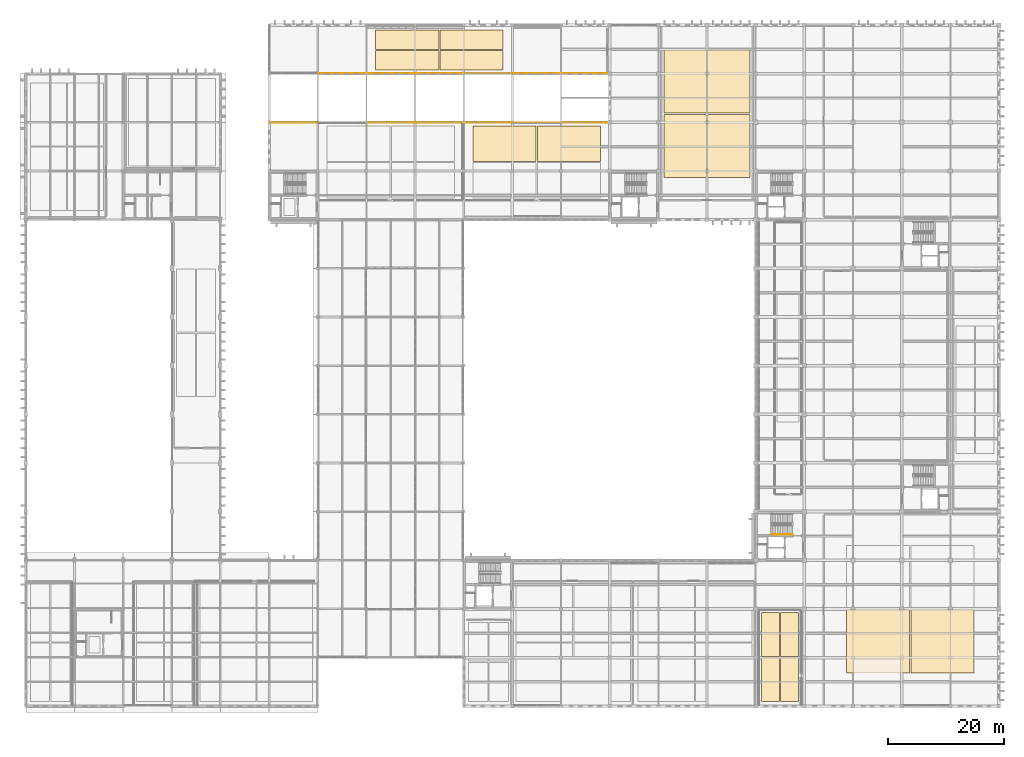
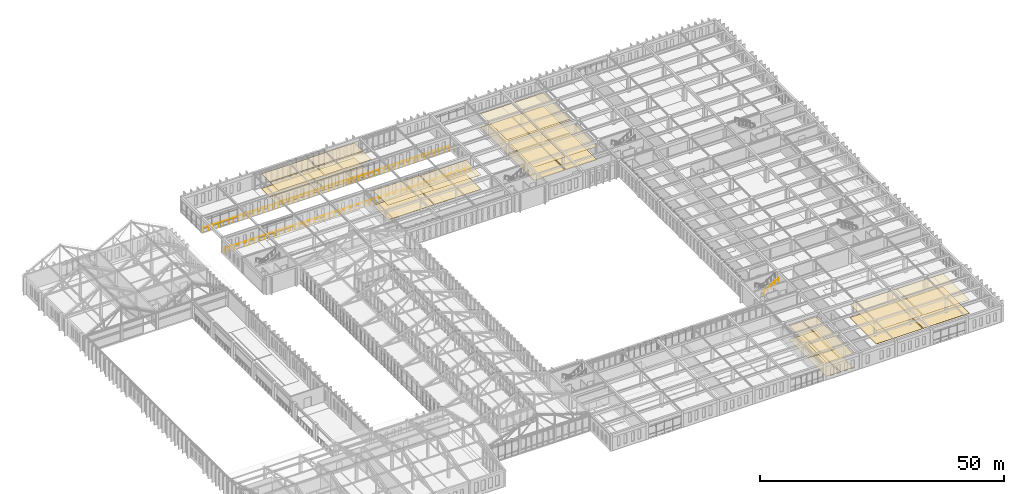
# One storey, part 189 of 192: 32 coverings, 3 railings.
"""IFC4 building model written with IfcOpenShell, lengths in metres."""

from ifc_helpers import new_model, si_unit, direction, frame, origin, origin_2d, place, context, subcontext, project, spatial, rectangle, circle, extrude, material, layer, layer_set, type_object, element, save


model = new_model("IFC4")

# Units and contexts
model_context = context("Model", 3, precision=1e-05, world=origin(), true_north=direction((0.0, 1.0)))
body_context = subcontext(model_context, "Body", "Model", "MODEL_VIEW")
ifc_project = project(units=[si_unit("LENGTHUNIT", "METRE"), si_unit("AREAUNIT", "SQUARE_METRE"), si_unit("VOLUMEUNIT", "CUBIC_METRE"), si_unit("PLANEANGLEUNIT", "RADIAN"), si_unit("MASSUNIT", "GRAM", prefix="KILO")], contexts=[model_context])

# Site, building, storey
site_placement = place(None, origin())
site = spatial("IfcSite", under=ifc_project, at=site_placement, CompositionType="ELEMENT")
building_placement = place(site_placement, origin())
building = spatial("IfcBuilding", under=site, at=building_placement, Name="Kveldsbrygga Polytechnic", CompositionType="ELEMENT")
storey_placement = place(building_placement, frame((0.0, 0.0, 5.43994140625)))
storey = spatial("IfcBuildingStorey", under=building, at=storey_placement, Name="L01", CompositionType="ELEMENT", Elevation=5.43994140625)

# Coverings
ifc_material_1 = material(Name="Acoustic mineral baffle ceiling")
ifc_layer_1 = layer(ifc_material_1, 0.030029296875)
ifc_layer_set_1 = layer_set([ifc_layer_1], Name="Acoustic mineral baffle ceiling")
covering_type_1 = type_object("IfcCoveringType", Name="COV-CEIL-AC30", PredefinedType="CEILING", material=ifc_layer_set_1)
for number, where, z_axis, x_axis, name in (
    (1, (82.64990234375, 97.10009765625, 3.64990234375), (0.0, 0.0, 1.0), (1.0, 0.0, 0.0), "Acoustic Ceiling SP-L01-SEM12-WN"),
    (2, (93.75, 97.10009765625, 3.56982421875), (0.0, 0.0, 1.0), (1.0, 0.0, 0.0), "Acoustic Ceiling SP-L01-SEM12-EN"),
):
    element("IfcCovering", number, at=place(storey_placement, frame(where, z_axis=z_axis, x_axis=x_axis)), inside=storey, type_object=covering_type_1, Name=name, PredefinedType="CEILING", context=body_context, shape_type="SweptSolid", body=[
        extrude(rectangle(XDim=10.89990234375, YDim=6.10009765625, at=origin_2d()), origin(), (0.0, 0.0, 1.0), 0.030029296875),
    ])
for number, where, z_axis, x_axis, name in (
    (3, (147.125, 11.22509765625, 3.31005859375), (0.0, 0.0, 1.0), (1.0, 0.0, 0.0), "Acoustic Ceiling SP-L01-LAB11-WS"),
    (4, (158.22509765625, 11.22509765625, 3.31005859375), (0.0, 0.0, 1.0), (1.0, 0.0, 0.0), "Acoustic Ceiling SP-L01-LAB11-ES"),
):
    element("IfcCovering", number, at=place(storey_placement, frame(where, z_axis=z_axis, x_axis=x_axis)), inside=storey, type_object=covering_type_1, Name=name, PredefinedType="CEILING", context=body_context, shape_type="SweptSolid", body=[
        extrude(rectangle(XDim=10.89990234375, YDim=10.89990234375, at=origin_2d()), origin(), (0.0, 0.0, 1.0), 0.030029296875),
    ])
for number, where, z_axis, x_axis, name in (
    (5, (113.824951171875, 96.72509765625, 3.31005859375), (0.0, 0.0, 1.0), (1.0, 0.0, 0.0), "Acoustic Ceiling SP-L01-LAB14-WS"),
    (6, (113.824951171875, 107.824951171875, 3.41015625), (0.0, 0.0, 1.0), (1.0, 0.0, 0.0), "Acoustic Ceiling SP-L01-LAB14-WN"),
    (7, (121.375, 96.72509765625, 3.31005859375), (0.0, 0.0, 1.0), (1.0, 0.0, 0.0), "Acoustic Ceiling SP-L01-LAB14-ES"),
    (8, (121.375, 107.824951171875, 3.41015625), (0.0, 0.0, 1.0), (1.0, 0.0, 0.0), "Acoustic Ceiling SP-L01-LAB14-EN"),
):
    element("IfcCovering", number, at=place(storey_placement, frame(where, z_axis=z_axis, x_axis=x_axis)), inside=storey, type_object=covering_type_1, Name=name, PredefinedType="CEILING", context=body_context, shape_type="SweptSolid", body=[
        extrude(rectangle(XDim=7.35009765625, YDim=10.89990234375, at=origin_2d()), origin(), (0.0, 0.0, 1.0), 0.030029296875),
    ])
ifc_material_2 = material(Name="Gypsum acoustic ceiling")
ifc_layer_2 = layer(ifc_material_2, 0.02001953125)
ifc_layer_set_2 = layer_set([ifc_layer_2], Name="Gypsum acoustic ceiling")
covering_type_2 = type_object("IfcCoveringType", Name="COV-CEIL-GY20", PredefinedType="CEILING", material=ifc_layer_set_2)
for number, where, z_axis, x_axis, name in (
    (9, (128.550048828125, 4.625, 3.420166015625), (0.0, 0.0, 1.0), (1.0, 0.0, 0.0), "Acoustic Ceiling SP-L01-WC1-WS"),
    (10, (128.550048828125, 12.375, 3.420166015625), (0.0, 0.0, 1.0), (1.0, 0.0, 0.0), "Acoustic Ceiling SP-L01-WC1-WN"),
    (11, (131.85009765625, 4.625, 3.420166015625), (0.0, 0.0, 1.0), (1.0, 0.0, 0.0), "Acoustic Ceiling SP-L01-WC1-ES"),
    (12, (131.85009765625, 12.375, 3.420166015625), (0.0, 0.0, 1.0), (1.0, 0.0, 0.0), "Acoustic Ceiling SP-L01-WC1-EN"),
):
    element("IfcCovering", number, at=place(storey_placement, frame(where, z_axis=z_axis, x_axis=x_axis)), inside=storey, type_object=covering_type_2, Name=name, PredefinedType="CEILING", context=body_context, shape_type="SweptSolid", body=[
        extrude(rectangle(XDim=3.10009765625, YDim=7.550048828125, at=origin_2d()), origin(), (0.0, 0.0, 1.0), 0.02001953125),
    ])
ifc_material_3 = material(Name="Acoustic oak timber slat ceiling", Category="wood")
ifc_layer_3 = layer(ifc_material_3, 0.0400390625)
ifc_layer_set_3 = layer_set([ifc_layer_3], Name="Acoustic oak timber slat ceiling")
covering_type_3 = type_object("IfcCoveringType", Name="COV-CEIL-WD40", PredefinedType="CEILING", material=ifc_layer_set_3)
for number, where, z_axis, x_axis, name in (
    (13, (65.85009765625, 111.52490234375, 3.64013671875), (0.0, 0.0, 1.0), (1.0, 0.0, 0.0), "Acoustic Ceiling SP-L01-LTUP-WS"),
    (14, (65.85009765625, 115.074951171875, 3.64013671875), (0.0, 0.0, 1.0), (1.0, 0.0, 0.0), "Acoustic Ceiling SP-L01-LTUP-WN"),
    (15, (76.949951171875, 111.52490234375, 3.679931640625), (0.0, 0.0, 1.0), (1.0, 0.0, 0.0), "Acoustic Ceiling SP-L01-LTUP-ES"),
    (16, (76.949951171875, 115.074951171875, 3.679931640625), (0.0, 0.0, 1.0), (1.0, 0.0, 0.0), "Acoustic Ceiling SP-L01-LTUP-EN"),
):
    element("IfcCovering", number, at=place(storey_placement, frame(where, z_axis=z_axis, x_axis=x_axis)), inside=storey, type_object=covering_type_3, Name=name, PredefinedType="CEILING", context=body_context, shape_type="SweptSolid", body=[
        extrude(rectangle(XDim=10.89990234375, YDim=3.35009765625, at=origin_2d()), origin(), (0.0, 0.0, 1.0), 0.0400390625),
    ])
ifc_material_4 = material(Name="Heavy-duty quartz-filled epoxy resin flooring")
ifc_layer_4 = layer(ifc_material_4, 0.014892578125)
ifc_layer_set_4 = layer_set([ifc_layer_4], Name="Heavy-duty quartz-filled epoxy resin flooring")
covering_type_4 = type_object("IfcCoveringType", Name="COV-FLR-EPX15", PredefinedType="FLOORING", material=ifc_layer_set_4)
for number, where, z_axis, x_axis, name in (
    (17, (147.125, 11.22509765625, 0.0), (0.0, 0.0, 1.0), (1.0, 0.0, 0.0), "Room Flooring SP-L01-LAB11-WS"),
    (18, (158.22509765625, 11.22509765625, 0.0), (0.0, 0.0, 1.0), (1.0, 0.0, 0.0), "Room Flooring SP-L01-LAB11-ES"),
):
    element("IfcCovering", number, at=place(storey_placement, frame(where, z_axis=z_axis, x_axis=x_axis)), inside=storey, type_object=covering_type_4, Name=name, PredefinedType="FLOORING", context=body_context, shape_type="SweptSolid", body=[
        extrude(rectangle(XDim=10.89990234375, YDim=10.89990234375, at=origin_2d()), origin(), (0.0, 0.0, 1.0), 0.014892578125),
    ])
for number, where, z_axis, x_axis, name in (
    (19, (113.824951171875, 96.72509765625, 0.0), (0.0, 0.0, 1.0), (1.0, 0.0, 0.0), "Room Flooring SP-L01-LAB14-WS"),
    (20, (113.824951171875, 107.824951171875, 0.0), (0.0, 0.0, 1.0), (1.0, 0.0, 0.0), "Room Flooring SP-L01-LAB14-WN"),
    (21, (121.375, 96.72509765625, 0.0), (0.0, 0.0, 1.0), (1.0, 0.0, 0.0), "Room Flooring SP-L01-LAB14-ES"),
    (22, (121.375, 107.824951171875, 0.0), (0.0, 0.0, 1.0), (1.0, 0.0, 0.0), "Room Flooring SP-L01-LAB14-EN"),
):
    element("IfcCovering", number, at=place(storey_placement, frame(where, z_axis=z_axis, x_axis=x_axis)), inside=storey, type_object=covering_type_4, Name=name, PredefinedType="FLOORING", context=body_context, shape_type="SweptSolid", body=[
        extrude(rectangle(XDim=7.35009765625, YDim=10.89990234375, at=origin_2d()), origin(), (0.0, 0.0, 1.0), 0.014892578125),
    ])
ifc_material_5 = material(Name="Iddefjord granite honed paving", Category="masonry")
ifc_layer_5 = layer(ifc_material_5, 0.02490234375)
ifc_layer_set_5 = layer_set([ifc_layer_5], Name="Iddefjord granite honed paving")
covering_type_5 = type_object("IfcCoveringType", Name="COV-FLR-GRN25", PredefinedType="FLOORING", material=ifc_layer_set_5)
for number, where, z_axis, x_axis, name in (
    (23, (128.550048828125, 4.625, 0.0), (0.0, 0.0, 1.0), (1.0, 0.0, 0.0), "Room Flooring SP-L01-WC1-WS"),
    (24, (128.550048828125, 12.375, 0.0), (0.0, 0.0, 1.0), (1.0, 0.0, 0.0), "Room Flooring SP-L01-WC1-WN"),
    (25, (131.85009765625, 4.625, 0.0), (0.0, 0.0, 1.0), (1.0, 0.0, 0.0), "Room Flooring SP-L01-WC1-ES"),
    (26, (131.85009765625, 12.375, 0.0), (0.0, 0.0, 1.0), (1.0, 0.0, 0.0), "Room Flooring SP-L01-WC1-EN"),
):
    element("IfcCovering", number, at=place(storey_placement, frame(where, z_axis=z_axis, x_axis=x_axis)), inside=storey, type_object=covering_type_5, Name=name, PredefinedType="FLOORING", context=body_context, shape_type="SweptSolid", body=[
        extrude(rectangle(XDim=3.10009765625, YDim=7.550048828125, at=origin_2d()), origin(), (0.0, 0.0, 1.0), 0.02490234375),
    ])
ifc_material_6 = material(Name="Acoustic oak timber flooring", Category="wood")
ifc_layer_6 = layer(ifc_material_6, 0.02197265625)
ifc_layer_set_6 = layer_set([ifc_layer_6], Name="Acoustic oak timber flooring")
covering_type_6 = type_object("IfcCoveringType", Name="COV-FLR-OAK22", PredefinedType="FLOORING", material=ifc_layer_set_6)
for number, where, z_axis, x_axis, name in (
    (27, (82.64990234375, 97.10009765625, 0.0), (0.0, 0.0, 1.0), (1.0, 0.0, 0.0), "Room Flooring SP-L01-SEM12-WN"),
    (28, (93.75, 97.10009765625, 0.0), (0.0, 0.0, 1.0), (1.0, 0.0, 0.0), "Room Flooring SP-L01-SEM12-EN"),
):
    element("IfcCovering", number, at=place(storey_placement, frame(where, z_axis=z_axis, x_axis=x_axis)), inside=storey, type_object=covering_type_6, Name=name, PredefinedType="FLOORING", context=body_context, shape_type="SweptSolid", body=[
        extrude(rectangle(XDim=10.89990234375, YDim=6.10009765625, at=origin_2d()), origin(), (0.0, 0.0, 1.0), 0.02197265625),
    ])
for number, where, z_axis, x_axis, name in (
    (29, (65.85009765625, 111.52490234375, 0.0), (0.0, 0.0, 1.0), (1.0, 0.0, 0.0), "Room Flooring SP-L01-LTUP-WS"),
    (30, (65.85009765625, 115.074951171875, 0.0), (0.0, 0.0, 1.0), (1.0, 0.0, 0.0), "Room Flooring SP-L01-LTUP-WN"),
    (31, (76.949951171875, 111.52490234375, 0.0), (0.0, 0.0, 1.0), (1.0, 0.0, 0.0), "Room Flooring SP-L01-LTUP-ES"),
    (32, (76.949951171875, 115.074951171875, 0.0), (0.0, 0.0, 1.0), (1.0, 0.0, 0.0), "Room Flooring SP-L01-LTUP-EN"),
):
    element("IfcCovering", number, at=place(storey_placement, frame(where, z_axis=z_axis, x_axis=x_axis)), inside=storey, type_object=covering_type_6, Name=name, PredefinedType="FLOORING", context=body_context, shape_type="SweptSolid", body=[
        extrude(rectangle(XDim=10.89990234375, YDim=3.35009765625, at=origin_2d()), origin(), (0.0, 0.0, 1.0), 0.02197265625),
    ])

# Railings
ifc_material_7 = material(Name="Steel S355", Category="steel")
railing_type_1 = type_object("IfcRailingType", Name="RL-STAIR-HND", PredefinedType="HANDRAIL", material=ifc_material_7)
railing_1_placement = place(storey_placement, frame((128.8701171875, 29.64990234375, 2.380126953125)))
element("IfcRailing", 33, at=railing_1_placement, inside=storey, type_object=railing_type_1, Name="L01 ST-1 stair handrail 2", PredefinedType="HANDRAIL", context=body_context, shape_type="SweptSolid", body=[
    extrude(circle(Radius=0.02392578125, at=origin_2d()), frame((0.0, 0.0, 0.8759765625), z_axis=(0.862692506924, 0.0, 0.505728819128), x_axis=(0.0, 1.0, 0.0)), (0.0, 0.0, 1.0), 4.033935546875),
    extrude(circle(Radius=0.02099609375, at=origin_2d()), origin(), (0.0, 0.0, 1.0), 0.847900390625),
    extrude(circle(Radius=0.02099609375, at=origin_2d()), frame((0.8701171875, 0.0, 0.510009765625)), (0.0, 0.0, 1.0), 0.847900390625),
    extrude(circle(Radius=0.02099609375, at=origin_2d()), frame((1.739990234375, 0.0, 1.02001953125)), (0.0, 0.0, 1.0), 0.847900390625),
    extrude(circle(Radius=0.02099609375, at=origin_2d()), frame((2.60986328125, 0.0, 1.530029296875)), (0.0, 0.0, 1.0), 0.847900390625),
    extrude(circle(Radius=0.02099609375, at=origin_2d()), frame((3.47998046875, 0.0, 2.0400390625)), (0.0, 0.0, 1.0), 0.847900390625),
])
railing_type_2 = type_object("IfcRailingType", Name="RL-VOID-GRD", PredefinedType="GUARDRAIL", material=ifc_material_7)
railing_2_placement = place(storey_placement, frame((42.35009765625, 100.719970703125, 0.0)))
element("IfcRailing", 34, at=railing_2_placement, inside=storey, type_object=railing_type_2, Name="Lecture Balcony Guard GRD-L01-V2VOID-S", PredefinedType="GUARDRAIL", context=body_context, shape_type="SweptSolid", body=[
    extrude(circle(Radius=0.02392578125, at=origin_2d()), frame((0.0, 0.0, 1.17578125), z_axis=(1.0, 0.0, 0.0), x_axis=(0.0, 1.0, 0.0)), (0.0, 0.0, 1.0), 58.099853515625),
    extrude(circle(Radius=0.02099609375, at=origin_2d()), origin(), (0.0, 0.0, 1.0), 1.14794921875),
    extrude(circle(Radius=0.02099609375, at=origin_2d()), frame((1.185791015625, 0.0, 0.0)), (0.0, 0.0, 1.0), 1.14794921875),
    extrude(circle(Radius=0.02099609375, at=origin_2d()), frame((2.371337890625, 0.0, 0.0)), (0.0, 0.0, 1.0), 1.14794921875),
    extrude(circle(Radius=0.02099609375, at=origin_2d()), frame((3.55712890625, 0.0, 0.0)), (0.0, 0.0, 1.0), 1.14794921875),
    extrude(circle(Radius=0.02099609375, at=origin_2d()), frame((4.742919921875, 0.0, 0.0)), (0.0, 0.0, 1.0), 1.14794921875),
    extrude(circle(Radius=0.02099609375, at=origin_2d()), frame((5.928466796875, 0.0, 0.0)), (0.0, 0.0, 1.0), 1.14794921875),
    extrude(circle(Radius=0.02099609375, at=origin_2d()), frame((7.1142578125, 0.0, 0.0)), (0.0, 0.0, 1.0), 1.14794921875),
    extrude(circle(Radius=0.02099609375, at=origin_2d()), frame((8.300048828125, 0.0, 0.0)), (0.0, 0.0, 1.0), 1.14794921875),
    extrude(circle(Radius=0.02099609375, at=origin_2d()), frame((9.485595703125, 0.0, 0.0)), (0.0, 0.0, 1.0), 1.14794921875),
    extrude(circle(Radius=0.02099609375, at=origin_2d()), frame((10.67138671875, 0.0, 0.0)), (0.0, 0.0, 1.0), 1.14794921875),
    extrude(circle(Radius=0.02099609375, at=origin_2d()), frame((11.857177734375, 0.0, 0.0)), (0.0, 0.0, 1.0), 1.14794921875),
    extrude(circle(Radius=0.02099609375, at=origin_2d()), frame((13.042724609375, 0.0, 0.0)), (0.0, 0.0, 1.0), 1.14794921875),
    extrude(circle(Radius=0.02099609375, at=origin_2d()), frame((14.228515625, 0.0, 0.0)), (0.0, 0.0, 1.0), 1.14794921875),
    extrude(circle(Radius=0.02099609375, at=origin_2d()), frame((15.414306640625, 0.0, 0.0)), (0.0, 0.0, 1.0), 1.14794921875),
    extrude(circle(Radius=0.02099609375, at=origin_2d()), frame((16.599853515625, 0.0, 0.0)), (0.0, 0.0, 1.0), 1.14794921875),
    extrude(circle(Radius=0.02099609375, at=origin_2d()), frame((17.78564453125, 0.0, 0.0)), (0.0, 0.0, 1.0), 1.14794921875),
    extrude(circle(Radius=0.02099609375, at=origin_2d()), frame((18.971435546875, 0.0, 0.0)), (0.0, 0.0, 1.0), 1.14794921875),
    extrude(circle(Radius=0.02099609375, at=origin_2d()), frame((20.156982421875, 0.0, 0.0)), (0.0, 0.0, 1.0), 1.14794921875),
    extrude(circle(Radius=0.02099609375, at=origin_2d()), frame((21.3427734375, 0.0, 0.0)), (0.0, 0.0, 1.0), 1.14794921875),
    extrude(circle(Radius=0.02099609375, at=origin_2d()), frame((22.528564453125, 0.0, 0.0)), (0.0, 0.0, 1.0), 1.14794921875),
    extrude(circle(Radius=0.02099609375, at=origin_2d()), frame((23.714111328125, 0.0, 0.0)), (0.0, 0.0, 1.0), 1.14794921875),
    extrude(circle(Radius=0.02099609375, at=origin_2d()), frame((24.89990234375, 0.0, 0.0)), (0.0, 0.0, 1.0), 1.14794921875),
    extrude(circle(Radius=0.02099609375, at=origin_2d()), frame((26.085693359375, 0.0, 0.0)), (0.0, 0.0, 1.0), 1.14794921875),
    extrude(circle(Radius=0.02099609375, at=origin_2d()), frame((27.271240234375, 0.0, 0.0)), (0.0, 0.0, 1.0), 1.14794921875),
    extrude(circle(Radius=0.02099609375, at=origin_2d()), frame((28.45703125, 0.0, 0.0)), (0.0, 0.0, 1.0), 1.14794921875),
    extrude(circle(Radius=0.02099609375, at=origin_2d()), frame((29.642822265625, 0.0, 0.0)), (0.0, 0.0, 1.0), 1.14794921875),
    extrude(circle(Radius=0.02099609375, at=origin_2d()), frame((30.82861328125, 0.0, 0.0)), (0.0, 0.0, 1.0), 1.14794921875),
    extrude(circle(Radius=0.02099609375, at=origin_2d()), frame((32.01416015625, 0.0, 0.0)), (0.0, 0.0, 1.0), 1.14794921875),
    extrude(circle(Radius=0.02099609375, at=origin_2d()), frame((33.199951171875, 0.0, 0.0)), (0.0, 0.0, 1.0), 1.14794921875),
    extrude(circle(Radius=0.02099609375, at=origin_2d()), frame((34.3857421875, 0.0, 0.0)), (0.0, 0.0, 1.0), 1.14794921875),
    extrude(circle(Radius=0.02099609375, at=origin_2d()), frame((35.5712890625, 0.0, 0.0)), (0.0, 0.0, 1.0), 1.14794921875),
    extrude(circle(Radius=0.02099609375, at=origin_2d()), frame((36.757080078125, 0.0, 0.0)), (0.0, 0.0, 1.0), 1.14794921875),
    extrude(circle(Radius=0.02099609375, at=origin_2d()), frame((37.94287109375, 0.0, 0.0)), (0.0, 0.0, 1.0), 1.14794921875),
    extrude(circle(Radius=0.02099609375, at=origin_2d()), frame((39.12841796875, 0.0, 0.0)), (0.0, 0.0, 1.0), 1.14794921875),
    extrude(circle(Radius=0.02099609375, at=origin_2d()), frame((40.314208984375, 0.0, 0.0)), (0.0, 0.0, 1.0), 1.14794921875),
    extrude(circle(Radius=0.02099609375, at=origin_2d()), frame((41.5, 0.0, 0.0)), (0.0, 0.0, 1.0), 1.14794921875),
    extrude(circle(Radius=0.02099609375, at=origin_2d()), frame((42.685546875, 0.0, 0.0)), (0.0, 0.0, 1.0), 1.14794921875),
    extrude(circle(Radius=0.02099609375, at=origin_2d()), frame((43.871337890625, 0.0, 0.0)), (0.0, 0.0, 1.0), 1.14794921875),
    extrude(circle(Radius=0.02099609375, at=origin_2d()), frame((45.05712890625, 0.0, 0.0)), (0.0, 0.0, 1.0), 1.14794921875),
    extrude(circle(Radius=0.02099609375, at=origin_2d()), frame((46.24267578125, 0.0, 0.0)), (0.0, 0.0, 1.0), 1.14794921875),
    extrude(circle(Radius=0.02099609375, at=origin_2d()), frame((47.428466796875, 0.0, 0.0)), (0.0, 0.0, 1.0), 1.14794921875),
    extrude(circle(Radius=0.02099609375, at=origin_2d()), frame((48.6142578125, 0.0, 0.0)), (0.0, 0.0, 1.0), 1.14794921875),
    extrude(circle(Radius=0.02099609375, at=origin_2d()), frame((49.7998046875, 0.0, 0.0)), (0.0, 0.0, 1.0), 1.14794921875),
    extrude(circle(Radius=0.02099609375, at=origin_2d()), frame((50.985595703125, 0.0, 0.0)), (0.0, 0.0, 1.0), 1.14794921875),
    extrude(circle(Radius=0.02099609375, at=origin_2d()), frame((52.17138671875, 0.0, 0.0)), (0.0, 0.0, 1.0), 1.14794921875),
    extrude(circle(Radius=0.02099609375, at=origin_2d()), frame((53.35693359375, 0.0, 0.0)), (0.0, 0.0, 1.0), 1.14794921875),
    extrude(circle(Radius=0.02099609375, at=origin_2d()), frame((54.542724609375, 0.0, 0.0)), (0.0, 0.0, 1.0), 1.14794921875),
    extrude(circle(Radius=0.02099609375, at=origin_2d()), frame((55.728515625, 0.0, 0.0)), (0.0, 0.0, 1.0), 1.14794921875),
    extrude(circle(Radius=0.02099609375, at=origin_2d()), frame((56.9140625, 0.0, 0.0)), (0.0, 0.0, 1.0), 1.14794921875),
    extrude(circle(Radius=0.02099609375, at=origin_2d()), frame((58.099853515625, 0.0, 0.0)), (0.0, 0.0, 1.0), 1.14794921875),
])
railing_3_placement = place(storey_placement, frame((42.35009765625, 109.280029296875, 0.0)))
element("IfcRailing", 35, at=railing_3_placement, inside=storey, type_object=railing_type_2, Name="Lecture Balcony Guard GRD-L01-V2VOID-N", PredefinedType="GUARDRAIL", context=body_context, shape_type="SweptSolid", body=[
    extrude(circle(Radius=0.02392578125, at=origin_2d()), frame((0.0, 0.0, 1.17578125), z_axis=(1.0, 0.0, 0.0), x_axis=(0.0, 1.0, 0.0)), (0.0, 0.0, 1.0), 58.099853515625),
    extrude(circle(Radius=0.02099609375, at=origin_2d()), origin(), (0.0, 0.0, 1.0), 1.14794921875),
    extrude(circle(Radius=0.02099609375, at=origin_2d()), frame((1.185791015625, 0.0, 0.0)), (0.0, 0.0, 1.0), 1.14794921875),
    extrude(circle(Radius=0.02099609375, at=origin_2d()), frame((2.371337890625, 0.0, 0.0)), (0.0, 0.0, 1.0), 1.14794921875),
    extrude(circle(Radius=0.02099609375, at=origin_2d()), frame((3.55712890625, 0.0, 0.0)), (0.0, 0.0, 1.0), 1.14794921875),
    extrude(circle(Radius=0.02099609375, at=origin_2d()), frame((4.742919921875, 0.0, 0.0)), (0.0, 0.0, 1.0), 1.14794921875),
    extrude(circle(Radius=0.02099609375, at=origin_2d()), frame((5.928466796875, 0.0, 0.0)), (0.0, 0.0, 1.0), 1.14794921875),
    extrude(circle(Radius=0.02099609375, at=origin_2d()), frame((7.1142578125, 0.0, 0.0)), (0.0, 0.0, 1.0), 1.14794921875),
    extrude(circle(Radius=0.02099609375, at=origin_2d()), frame((8.300048828125, 0.0, 0.0)), (0.0, 0.0, 1.0), 1.14794921875),
    extrude(circle(Radius=0.02099609375, at=origin_2d()), frame((9.485595703125, 0.0, 0.0)), (0.0, 0.0, 1.0), 1.14794921875),
    extrude(circle(Radius=0.02099609375, at=origin_2d()), frame((10.67138671875, 0.0, 0.0)), (0.0, 0.0, 1.0), 1.14794921875),
    extrude(circle(Radius=0.02099609375, at=origin_2d()), frame((11.857177734375, 0.0, 0.0)), (0.0, 0.0, 1.0), 1.14794921875),
    extrude(circle(Radius=0.02099609375, at=origin_2d()), frame((13.042724609375, 0.0, 0.0)), (0.0, 0.0, 1.0), 1.14794921875),
    extrude(circle(Radius=0.02099609375, at=origin_2d()), frame((14.228515625, 0.0, 0.0)), (0.0, 0.0, 1.0), 1.14794921875),
    extrude(circle(Radius=0.02099609375, at=origin_2d()), frame((15.414306640625, 0.0, 0.0)), (0.0, 0.0, 1.0), 1.14794921875),
    extrude(circle(Radius=0.02099609375, at=origin_2d()), frame((16.599853515625, 0.0, 0.0)), (0.0, 0.0, 1.0), 1.14794921875),
    extrude(circle(Radius=0.02099609375, at=origin_2d()), frame((17.78564453125, 0.0, 0.0)), (0.0, 0.0, 1.0), 1.14794921875),
    extrude(circle(Radius=0.02099609375, at=origin_2d()), frame((18.971435546875, 0.0, 0.0)), (0.0, 0.0, 1.0), 1.14794921875),
    extrude(circle(Radius=0.02099609375, at=origin_2d()), frame((20.156982421875, 0.0, 0.0)), (0.0, 0.0, 1.0), 1.14794921875),
    extrude(circle(Radius=0.02099609375, at=origin_2d()), frame((21.3427734375, 0.0, 0.0)), (0.0, 0.0, 1.0), 1.14794921875),
    extrude(circle(Radius=0.02099609375, at=origin_2d()), frame((22.528564453125, 0.0, 0.0)), (0.0, 0.0, 1.0), 1.14794921875),
    extrude(circle(Radius=0.02099609375, at=origin_2d()), frame((23.714111328125, 0.0, 0.0)), (0.0, 0.0, 1.0), 1.14794921875),
    extrude(circle(Radius=0.02099609375, at=origin_2d()), frame((24.89990234375, 0.0, 0.0)), (0.0, 0.0, 1.0), 1.14794921875),
    extrude(circle(Radius=0.02099609375, at=origin_2d()), frame((26.085693359375, 0.0, 0.0)), (0.0, 0.0, 1.0), 1.14794921875),
    extrude(circle(Radius=0.02099609375, at=origin_2d()), frame((27.271240234375, 0.0, 0.0)), (0.0, 0.0, 1.0), 1.14794921875),
    extrude(circle(Radius=0.02099609375, at=origin_2d()), frame((28.45703125, 0.0, 0.0)), (0.0, 0.0, 1.0), 1.14794921875),
    extrude(circle(Radius=0.02099609375, at=origin_2d()), frame((29.642822265625, 0.0, 0.0)), (0.0, 0.0, 1.0), 1.14794921875),
    extrude(circle(Radius=0.02099609375, at=origin_2d()), frame((30.82861328125, 0.0, 0.0)), (0.0, 0.0, 1.0), 1.14794921875),
    extrude(circle(Radius=0.02099609375, at=origin_2d()), frame((32.01416015625, 0.0, 0.0)), (0.0, 0.0, 1.0), 1.14794921875),
    extrude(circle(Radius=0.02099609375, at=origin_2d()), frame((33.199951171875, 0.0, 0.0)), (0.0, 0.0, 1.0), 1.14794921875),
    extrude(circle(Radius=0.02099609375, at=origin_2d()), frame((34.3857421875, 0.0, 0.0)), (0.0, 0.0, 1.0), 1.14794921875),
    extrude(circle(Radius=0.02099609375, at=origin_2d()), frame((35.5712890625, 0.0, 0.0)), (0.0, 0.0, 1.0), 1.14794921875),
    extrude(circle(Radius=0.02099609375, at=origin_2d()), frame((36.757080078125, 0.0, 0.0)), (0.0, 0.0, 1.0), 1.14794921875),
    extrude(circle(Radius=0.02099609375, at=origin_2d()), frame((37.94287109375, 0.0, 0.0)), (0.0, 0.0, 1.0), 1.14794921875),
    extrude(circle(Radius=0.02099609375, at=origin_2d()), frame((39.12841796875, 0.0, 0.0)), (0.0, 0.0, 1.0), 1.14794921875),
    extrude(circle(Radius=0.02099609375, at=origin_2d()), frame((40.314208984375, 0.0, 0.0)), (0.0, 0.0, 1.0), 1.14794921875),
    extrude(circle(Radius=0.02099609375, at=origin_2d()), frame((41.5, 0.0, 0.0)), (0.0, 0.0, 1.0), 1.14794921875),
    extrude(circle(Radius=0.02099609375, at=origin_2d()), frame((42.685546875, 0.0, 0.0)), (0.0, 0.0, 1.0), 1.14794921875),
    extrude(circle(Radius=0.02099609375, at=origin_2d()), frame((43.871337890625, 0.0, 0.0)), (0.0, 0.0, 1.0), 1.14794921875),
    extrude(circle(Radius=0.02099609375, at=origin_2d()), frame((45.05712890625, 0.0, 0.0)), (0.0, 0.0, 1.0), 1.14794921875),
    extrude(circle(Radius=0.02099609375, at=origin_2d()), frame((46.24267578125, 0.0, 0.0)), (0.0, 0.0, 1.0), 1.14794921875),
    extrude(circle(Radius=0.02099609375, at=origin_2d()), frame((47.428466796875, 0.0, 0.0)), (0.0, 0.0, 1.0), 1.14794921875),
    extrude(circle(Radius=0.02099609375, at=origin_2d()), frame((48.6142578125, 0.0, 0.0)), (0.0, 0.0, 1.0), 1.14794921875),
    extrude(circle(Radius=0.02099609375, at=origin_2d()), frame((49.7998046875, 0.0, 0.0)), (0.0, 0.0, 1.0), 1.14794921875),
    extrude(circle(Radius=0.02099609375, at=origin_2d()), frame((50.985595703125, 0.0, 0.0)), (0.0, 0.0, 1.0), 1.14794921875),
    extrude(circle(Radius=0.02099609375, at=origin_2d()), frame((52.17138671875, 0.0, 0.0)), (0.0, 0.0, 1.0), 1.14794921875),
    extrude(circle(Radius=0.02099609375, at=origin_2d()), frame((53.35693359375, 0.0, 0.0)), (0.0, 0.0, 1.0), 1.14794921875),
    extrude(circle(Radius=0.02099609375, at=origin_2d()), frame((54.542724609375, 0.0, 0.0)), (0.0, 0.0, 1.0), 1.14794921875),
    extrude(circle(Radius=0.02099609375, at=origin_2d()), frame((55.728515625, 0.0, 0.0)), (0.0, 0.0, 1.0), 1.14794921875),
    extrude(circle(Radius=0.02099609375, at=origin_2d()), frame((56.9140625, 0.0, 0.0)), (0.0, 0.0, 1.0), 1.14794921875),
    extrude(circle(Radius=0.02099609375, at=origin_2d()), frame((58.099853515625, 0.0, 0.0)), (0.0, 0.0, 1.0), 1.14794921875),
])

save(model, "model.ifc")
